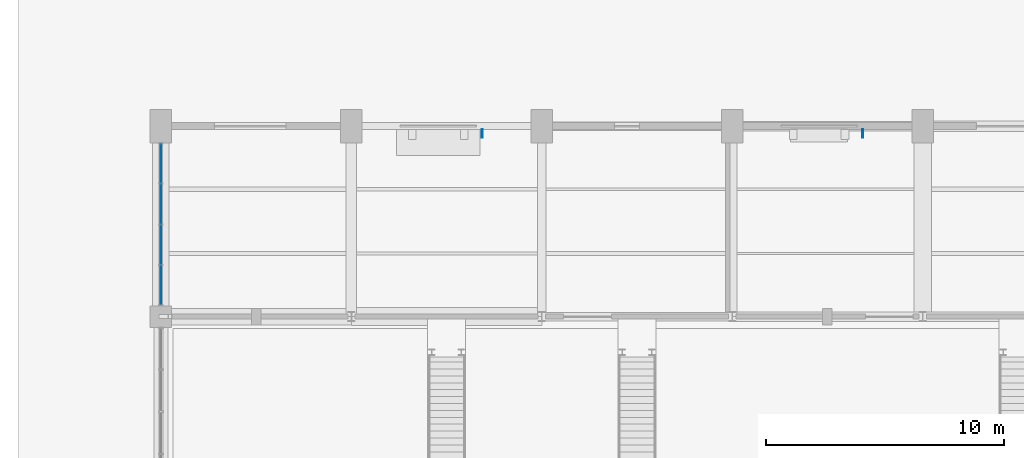
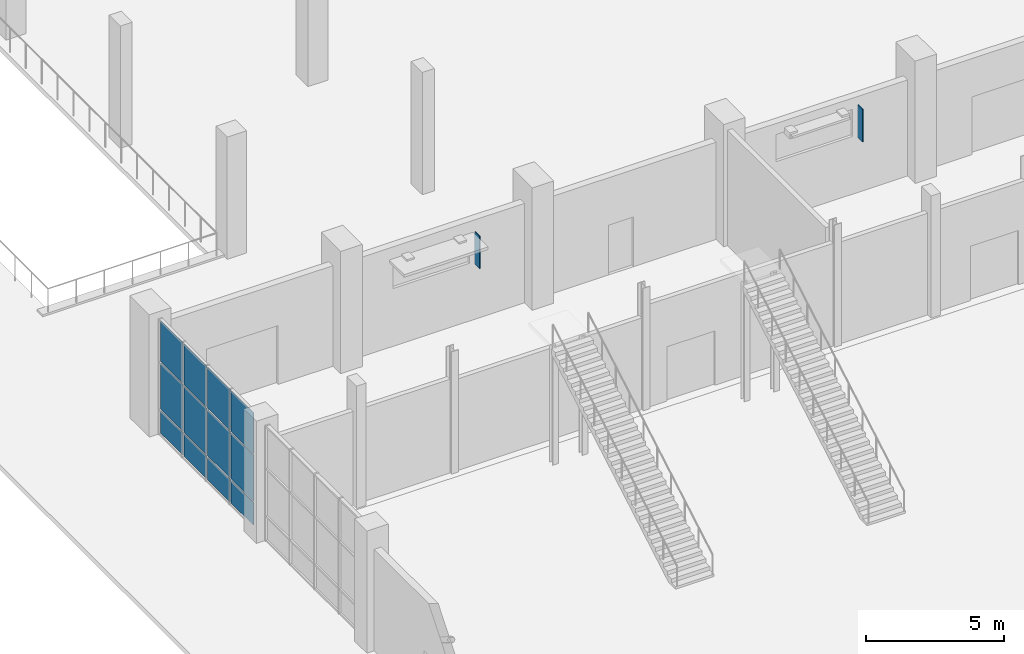
# One storey, part 68 of 123: 14 plates, 1 element without a shape of its own.
"""IFC4 building model written with IfcOpenShell, lengths in metres."""

from ifc_helpers import new_model, si_unit, direction, frame, origin, origin_2d, place, context, subcontext, project, spatial, rectangle, extrude, material, layer, layer_set, type_object, element, aggregate, save


model = new_model("IFC4")

# Units and contexts
model_context = context("Model", 3, precision=1e-05, world=origin(), true_north=direction((0.0, 1.0)))
body_context = subcontext(model_context, "Body", "Model", "MODEL_VIEW")
ifc_project = project(units=[si_unit("LENGTHUNIT", "METRE"), si_unit("AREAUNIT", "SQUARE_METRE"), si_unit("VOLUMEUNIT", "CUBIC_METRE"), si_unit("PLANEANGLEUNIT", "RADIAN"), si_unit("MASSUNIT", "GRAM", prefix="KILO")], contexts=[model_context])

# Site, building, storey
site_placement = place(None, origin())
site = spatial("IfcSite", under=ifc_project, at=site_placement, CompositionType="ELEMENT")
building_placement = place(site_placement, origin())
building = spatial("IfcBuilding", under=site, at=building_placement, Name="Tenunan Teduh Sports Hall", CompositionType="ELEMENT")
storey_placement = place(building_placement, origin())
storey = spatial("IfcBuildingStorey", under=building, at=storey_placement, Name="L00", CompositionType="ELEMENT", Elevation=0.0)

# Curtain wall, plates
ifc_material_1 = material(Name="Anodised aluminium", Category="aluminium")
curtain_wall_type = type_object("IfcCurtainWallType", Name="CW-UNIT-2", PredefinedType="NOTDEFINED", material=ifc_material_1)
curtain_wall_placement = place(storey_placement, origin())
curtain_wall = element("IfcCurtainWall", 1, at=curtain_wall_placement, inside=storey, type_object=curtain_wall_type, Name="CW-CWM-175-L00-038", PredefinedType="NOTDEFINED")
ifc_material_2 = material(Name="Low-E laminated double glazing", Category="glass")
ifc_layer_1 = layer(ifc_material_2, 0.028076171875)
ifc_layer_set_1 = layer_set([ifc_layer_1], Name="Low-E laminated double glazing")
plate_type_1 = type_object("IfcPlateType", Name="CWP-GLZ-28", PredefinedType="CURTAIN_PANEL", material=ifc_layer_set_1)
plate_1_placement = place(storey_placement, frame((6.0, 39.322509765625, 1.13232421875), z_axis=(0.0, 0.0, 1.0), x_axis=(0.0, 1.0, 0.0)))
plate_1 = element("IfcPlate", 2, at=plate_1_placement, type_object=plate_type_1, Name="CW-02 panel 1.2", PredefinedType="CURTAIN_PANEL", context=body_context, shape_type="SweptSolid", body=[
    extrude(rectangle(XDim=1.614990234375, YDim=0.028076171875, at=origin_2d()), origin(), (0.0, 0.0, 1.0), 2.034912109375),
])
plate_2_placement = place(storey_placement, frame((6.0, 39.322509765625, 3.232421875), z_axis=(0.0, 0.0, 1.0), x_axis=(0.0, 1.0, 0.0)))
plate_2 = element("IfcPlate", 3, at=plate_2_placement, type_object=plate_type_1, Name="CW-02 panel 1.3", PredefinedType="CURTAIN_PANEL", context=body_context, shape_type="SweptSolid", body=[
    extrude(rectangle(XDim=1.614990234375, YDim=0.028076171875, at=origin_2d()), origin(), (0.0, 0.0, 1.0), 1.802490234375),
])
plate_3_placement = place(storey_placement, frame((6.0, 41.018798828125, 1.13232421875), z_axis=(0.0, 0.0, 1.0), x_axis=(0.0, 1.0, 0.0)))
plate_3 = element("IfcPlate", 4, at=plate_3_placement, type_object=plate_type_1, Name="CW-02 panel 2.2", PredefinedType="CURTAIN_PANEL", context=body_context, shape_type="SweptSolid", body=[
    extrude(rectangle(XDim=1.6474609375, YDim=0.028076171875, at=origin_2d()), origin(), (0.0, 0.0, 1.0), 2.034912109375),
])
plate_4_placement = place(storey_placement, frame((6.0, 41.018798828125, 3.232421875), z_axis=(0.0, 0.0, 1.0), x_axis=(0.0, 1.0, 0.0)))
plate_4 = element("IfcPlate", 5, at=plate_4_placement, type_object=plate_type_1, Name="CW-02 panel 2.3", PredefinedType="CURTAIN_PANEL", context=body_context, shape_type="SweptSolid", body=[
    extrude(rectangle(XDim=1.6474609375, YDim=0.028076171875, at=origin_2d()), origin(), (0.0, 0.0, 1.0), 1.802490234375),
])
plate_5_placement = place(storey_placement, frame((6.0, 42.731201171875, 1.13232421875), z_axis=(0.0, 0.0, 1.0), x_axis=(0.0, 1.0, 0.0)))
plate_5 = element("IfcPlate", 6, at=plate_5_placement, type_object=plate_type_1, Name="CW-02 panel 3.2", PredefinedType="CURTAIN_PANEL", context=body_context, shape_type="SweptSolid", body=[
    extrude(rectangle(XDim=1.6474609375, YDim=0.028076171875, at=origin_2d()), origin(), (0.0, 0.0, 1.0), 2.034912109375),
])
plate_6_placement = place(storey_placement, frame((6.0, 42.731201171875, 3.232421875), z_axis=(0.0, 0.0, 1.0), x_axis=(0.0, 1.0, 0.0)))
plate_6 = element("IfcPlate", 7, at=plate_6_placement, type_object=plate_type_1, Name="CW-02 panel 3.3", PredefinedType="CURTAIN_PANEL", context=body_context, shape_type="SweptSolid", body=[
    extrude(rectangle(XDim=1.6474609375, YDim=0.028076171875, at=origin_2d()), origin(), (0.0, 0.0, 1.0), 1.802490234375),
])
plate_7_placement = place(storey_placement, frame((6.0, 44.427490234375, 1.13232421875), z_axis=(0.0, 0.0, 1.0), x_axis=(0.0, 1.0, 0.0)))
plate_7 = element("IfcPlate", 8, at=plate_7_placement, type_object=plate_type_1, Name="CW-02 panel 4.2", PredefinedType="CURTAIN_PANEL", context=body_context, shape_type="SweptSolid", body=[
    extrude(rectangle(XDim=1.614990234375, YDim=0.028076171875, at=origin_2d()), origin(), (0.0, 0.0, 1.0), 2.034912109375),
])
plate_8_placement = place(storey_placement, frame((6.0, 44.427490234375, 3.232421875), z_axis=(0.0, 0.0, 1.0), x_axis=(0.0, 1.0, 0.0)))
plate_8 = element("IfcPlate", 9, at=plate_8_placement, type_object=plate_type_1, Name="CW-02 panel 4.3", PredefinedType="CURTAIN_PANEL", context=body_context, shape_type="SweptSolid", body=[
    extrude(rectangle(XDim=1.614990234375, YDim=0.028076171875, at=origin_2d()), origin(), (0.0, 0.0, 1.0), 1.802490234375),
])
ifc_material_3 = material(Name="Insulated aluminium spandrel panel", Category="aluminium")
ifc_layer_2 = layer(ifc_material_3, 0.044921875)
ifc_layer_set_2 = layer_set([ifc_layer_2], Name="Insulated aluminium spandrel panel")
plate_type_2 = type_object("IfcPlateType", Name="CWP-SPN-45", PredefinedType="CURTAIN_PANEL", material=ifc_layer_set_2)
plate_9_placement = place(storey_placement, frame((6.0, 39.322509765625, 0.06494140625), z_axis=(0.0, 0.0, 1.0), x_axis=(0.0, 1.0, 0.0)))
plate_9 = element("IfcPlate", 10, at=plate_9_placement, type_object=plate_type_2, Name="CW-02 panel 1.1", PredefinedType="CURTAIN_PANEL", context=body_context, shape_type="SweptSolid", body=[
    extrude(rectangle(XDim=1.614990234375, YDim=0.028076171875, at=origin_2d()), origin(), (0.0, 0.0, 1.0), 1.00244140625),
])
plate_10_placement = place(storey_placement, frame((6.0, 41.018798828125, 0.06494140625), z_axis=(0.0, 0.0, 1.0), x_axis=(0.0, 1.0, 0.0)))
plate_10 = element("IfcPlate", 11, at=plate_10_placement, type_object=plate_type_2, Name="CW-02 panel 2.1", PredefinedType="CURTAIN_PANEL", context=body_context, shape_type="SweptSolid", body=[
    extrude(rectangle(XDim=1.6474609375, YDim=0.028076171875, at=origin_2d()), origin(), (0.0, 0.0, 1.0), 1.00244140625),
])
plate_11_placement = place(storey_placement, frame((6.0, 42.731201171875, 0.06494140625), z_axis=(0.0, 0.0, 1.0), x_axis=(0.0, 1.0, 0.0)))
plate_11 = element("IfcPlate", 12, at=plate_11_placement, type_object=plate_type_2, Name="CW-02 panel 3.1", PredefinedType="CURTAIN_PANEL", context=body_context, shape_type="SweptSolid", body=[
    extrude(rectangle(XDim=1.6474609375, YDim=0.028076171875, at=origin_2d()), origin(), (0.0, 0.0, 1.0), 1.00244140625),
])
plate_12_placement = place(storey_placement, frame((6.0, 44.427490234375, 0.06494140625), z_axis=(0.0, 0.0, 1.0), x_axis=(0.0, 1.0, 0.0)))
plate_12 = element("IfcPlate", 13, at=plate_12_placement, type_object=plate_type_2, Name="CW-02 panel 4.1", PredefinedType="CURTAIN_PANEL", context=body_context, shape_type="SweptSolid", body=[
    extrude(rectangle(XDim=1.614990234375, YDim=0.028076171875, at=origin_2d()), origin(), (0.0, 0.0, 1.0), 1.00244140625),
])
aggregate(curtain_wall, [plate_9, plate_1, plate_2, plate_10, plate_3, plate_4, plate_11, plate_5, plate_6, plate_12, plate_7, plate_8])

# Plates
ifc_material_4 = material(Name="Anodised aluminium", Category="aluminium")
ifc_layer_3 = layer(ifc_material_4, 1.89990234375)
ifc_layer_set_3 = layer_set([ifc_layer_3], Name="Anodised aluminium")
plate_type_3 = type_object("IfcPlateType", Name="PLT-FIN-1", PredefinedType="SHEET", material=ifc_layer_set_3)
for number, where, z_axis, x_axis, name in (
    (14, (19.489990234375, 45.68994140625, 2.429931640625), (0.0, 0.0, 1.0), (1.0, 0.0, 0.0), "PLT-FIN-L00-005"),
    (15, (35.489990234375, 45.68994140625, 2.429931640625), (0.0, 0.0, 1.0), (1.0, 0.0, 0.0), "PLT-FIN-L00-007"),
):
    element("IfcPlate", number, at=place(storey_placement, frame(where, z_axis=z_axis, x_axis=x_axis)), inside=storey, type_object=plate_type_3, Name=name, PredefinedType="SHEET", context=body_context, shape_type="SweptSolid", body=[
        extrude(rectangle(XDim=0.0400390625, YDim=0.360107421875, at=origin_2d()), origin(), (0.0, 0.0, 1.0), 1.43994140625),
    ])

save(model, "model.ifc")
